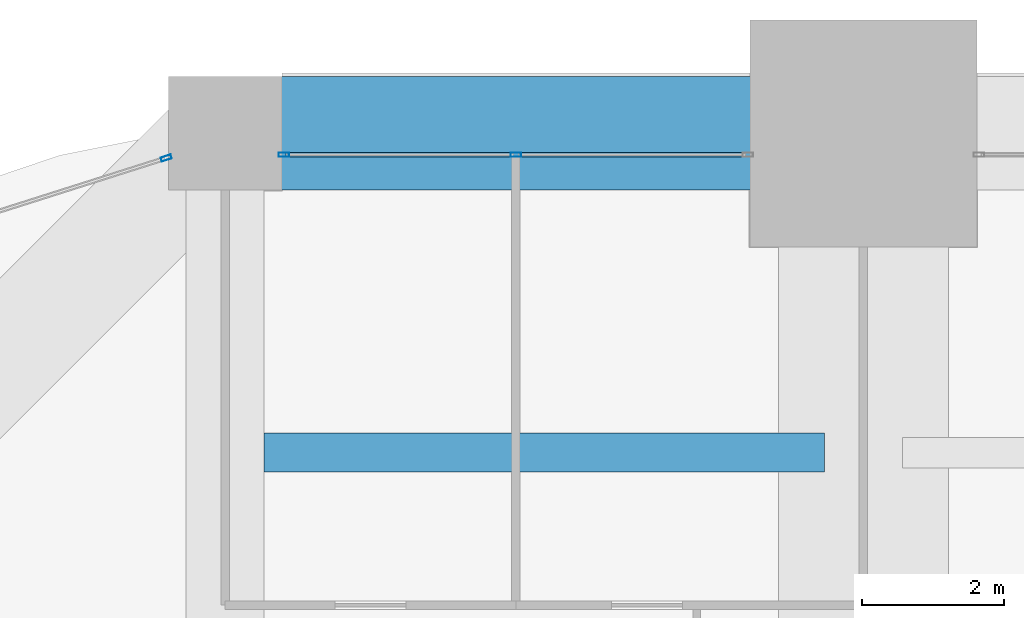
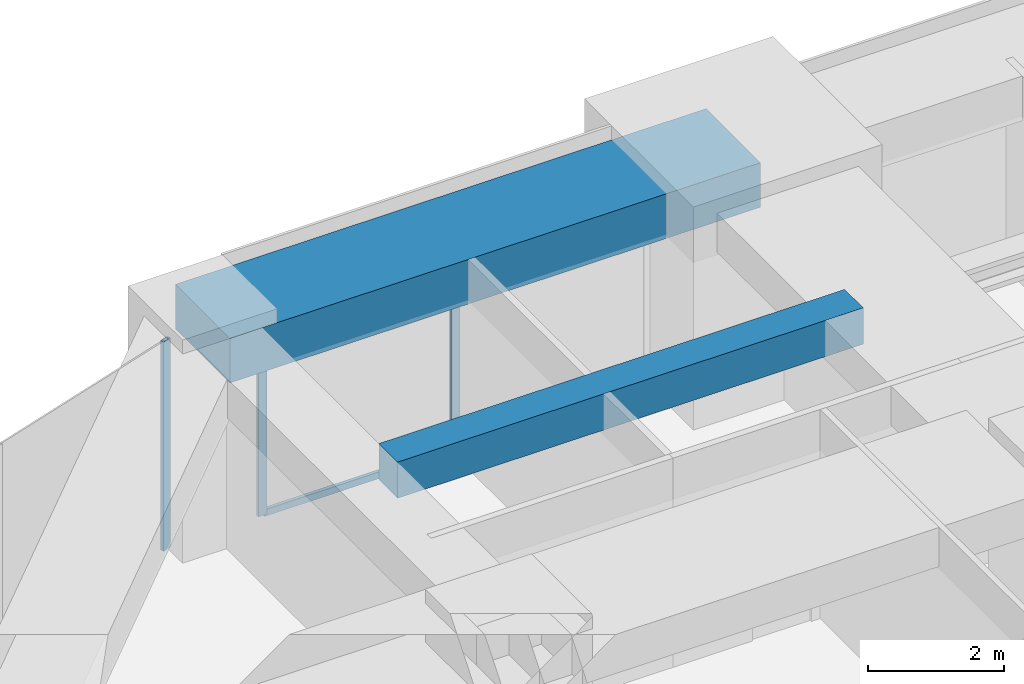
# One storey, part 23 of 36: 4 members, 2 beams, 2 elements without a shape of their own.
"""IFC4 building model written with IfcOpenShell, lengths in metres."""

from ifc_helpers import new_model, si_unit, direction, frame, origin, origin_2d, place, context, subcontext, project, spatial, rectangle, hollow_rectangle, extrude, material, material_profile, profile_set, type_object, element, aggregate, save


model = new_model("IFC4")

# Units and contexts
model_context = context("Model", 3, precision=1e-05, world=origin(), true_north=direction((0.0, 1.0)))
body_context = subcontext(model_context, "Body", "Model", "MODEL_VIEW")
ifc_project = project(units=[si_unit("LENGTHUNIT", "METRE"), si_unit("AREAUNIT", "SQUARE_METRE"), si_unit("VOLUMEUNIT", "CUBIC_METRE"), si_unit("PLANEANGLEUNIT", "RADIAN"), si_unit("MASSUNIT", "GRAM", prefix="KILO")], contexts=[model_context])

# Site, building, storey
site_placement = place(None, origin())
site = spatial("IfcSite", under=ifc_project, at=site_placement, CompositionType="ELEMENT")
building_placement = place(site_placement, origin())
building = spatial("IfcBuilding", under=site, at=building_placement, Name="Zorevar Civic Tower", CompositionType="ELEMENT")
storey_placement = place(building_placement, frame((0.0, 0.0, 166.199951171875)))
storey = spatial("IfcBuildingStorey", under=building, at=storey_placement, Name="L40", CompositionType="ELEMENT", Elevation=166.199951171875)

# Beam
ifc_material_1 = material(Name="Concrete C50/60", Category="concrete")
ifc_material_profile_1 = material_profile(ifc_material_1, rectangle(XDim=0.550048828125, YDim=0.64990234375, at=origin_2d()), Name="RC 550x650")
ifc_profile_set_1 = profile_set([ifc_material_profile_1], Name="Concrete C50/60")
beam_type_1 = type_object("IfcBeamType", Name="Beam RC 550x650", PredefinedType="BEAM", material=ifc_profile_set_1)
beam_1_placement = place(storey_placement, frame((9.550048828125, 40.5, 3.425048828125), z_axis=(1.0, 0.0, 0.0), x_axis=(0.0, 1.0, 0.0)))
element("IfcBeam", 1, at=beam_1_placement, inside=storey, type_object=beam_type_1, Name="Secondary beam L41", PredefinedType="BEAM", context=body_context, shape_type="SweptSolid", body=[
    extrude(rectangle(XDim=0.550048828125, YDim=0.64990234375, at=origin_2d()), origin(), (0.0, 0.0, 1.0), 7.89990234375),
])

# Curtain wall, members
ifc_material_2 = material(Name="Dark grey solar-control glass in black aluminium frame", Category="aluminium")
curtain_wall_type = type_object("IfcCurtainWallType", Name="Curtain wall CW4 high zone", PredefinedType="NOTDEFINED", material=ifc_material_2)
curtain_wall_1_placement = place(storey_placement, origin())
curtain_wall_1 = element("IfcCurtainWall", 2, at=curtain_wall_1_placement, inside=storey, type_object=curtain_wall_type, Name="CW4 L40", PredefinedType="NOTDEFINED")
ifc_material_3 = material(Name="Aluminium, black anodised", Category="aluminium")
ifc_material_profile_2 = material_profile(ifc_material_3, hollow_rectangle(XDim=0.06005859375, YDim=0.14990234375, WallThickness=0.00390625, at=origin_2d()), Name="AL 150x60x4")
ifc_profile_set_2 = profile_set([ifc_material_profile_2], Name="Aluminium, black anodised")
member_type_1 = type_object("IfcMemberType", Name="CW4 mullion AL 150x60x4", PredefinedType="MULLION", material=ifc_profile_set_2)
member_1_placement = place(storey_placement, frame((9.830078125, 44.699951171875, 0.0), z_axis=(0.0, 0.0, 1.0), x_axis=(0.0, 1.0, 0.0)))
member_1 = element("IfcMember", 3, at=member_1_placement, type_object=member_type_1, Name="CW4 mullion 1", PredefinedType="MULLION", context=body_context, shape_type="SweptSolid", body=[
    extrude(hollow_rectangle(XDim=0.06005859375, YDim=0.14990234375, WallThickness=0.00390625, at=origin_2d()), origin(), (0.0, 0.0, 1.0), 2.949951171875),
])
member_2_placement = place(storey_placement, frame((13.10009765625, 44.699951171875, 0.06005859375), z_axis=(0.0, 0.0, 1.0), x_axis=(0.0, 1.0, 0.0)))
member_2 = element("IfcMember", 4, at=member_2_placement, type_object=member_type_1, Name="CW4 mullion 2", PredefinedType="MULLION", context=body_context, shape_type="SweptSolid", body=[
    extrude(hollow_rectangle(XDim=0.06005859375, YDim=0.14990234375, WallThickness=0.00390625, at=origin_2d()), origin(), (0.0, 0.0, 1.0), 2.889892578125),
])

# Curtain wall, member
curtain_wall_2_placement = place(storey_placement, origin())
curtain_wall_2 = element("IfcCurtainWall", 5, at=curtain_wall_2_placement, inside=storey, type_object=curtain_wall_type, Name="CW4 L40", PredefinedType="NOTDEFINED")
member_3_placement = place(storey_placement, frame((8.17138671875, 44.654052734375, 0.0), z_axis=(0.0, 0.0, 1.0), x_axis=(0.302858738154, -0.953035458272, 0.0)))
member_3 = element("IfcMember", 6, at=member_3_placement, type_object=member_type_1, Name="CW4 mullion 1", PredefinedType="MULLION", context=body_context, shape_type="SweptSolid", body=[
    extrude(hollow_rectangle(XDim=0.06005859375, YDim=0.14990234375, WallThickness=0.00390625, at=origin_2d()), origin(), (0.0, 0.0, 1.0), 3.75),
])
aggregate(curtain_wall_2, [member_3])

# Member
ifc_material_4 = material(Name="Aluminium, black anodised", Category="aluminium")
ifc_material_profile_3 = material_profile(ifc_material_4, hollow_rectangle(XDim=0.06005859375, YDim=0.1201171875, WallThickness=0.0029296875, at=origin_2d()), Name="AL 120x60x3")
ifc_profile_set_3 = profile_set([ifc_material_profile_3], Name="Aluminium, black anodised")
member_type_2 = type_object("IfcMemberType", Name="CW4 transom AL 120x60x3", PredefinedType="USERDEFINED", material=ifc_profile_set_3)
member_4_placement = place(storey_placement, frame((9.860107421875, 44.699951171875, 0.030029296875), z_axis=(1.0, 0.0, 0.0), x_axis=(0.0, 1.0, 0.0)))
member_4 = element("IfcMember", 7, at=member_4_placement, type_object=member_type_2, Name="CW4 sill transom", ObjectType="TRANSOM", PredefinedType="USERDEFINED", context=body_context, shape_type="SweptSolid", body=[
    extrude(hollow_rectangle(XDim=0.06005859375, YDim=0.1201171875, WallThickness=0.0029296875, at=origin_2d()), origin(), (0.0, 0.0, 1.0), 6.47998046875),
])

aggregate(curtain_wall_1, [member_1, member_2, member_4])

# Beam
ifc_material_5 = material(Name="Concrete C50/60", Category="concrete")
ifc_material_profile_4 = material_profile(ifc_material_5, rectangle(XDim=1.60009765625, YDim=0.800048828125, at=origin_2d()), Name="RC 1600x800")
ifc_profile_set_4 = profile_set([ifc_material_profile_4], Name="Concrete C50/60")
beam_type_2 = type_object("IfcBeamType", Name="Edge beam RC 1600x800", PredefinedType="SPANDREL", material=ifc_profile_set_4)
beam_2_placement = place(storey_placement, frame((9.0, 45.0, 3.35009765625), z_axis=(1.0, 0.0, 0.0), x_axis=(0.0, 1.0, 0.0)))
element("IfcBeam", 8, at=beam_2_placement, inside=storey, type_object=beam_type_2, Name="Edge beam L41", PredefinedType="SPANDREL", context=body_context, shape_type="SweptSolid", body=[
    extrude(rectangle(XDim=1.60009765625, YDim=0.800048828125, at=origin_2d()), origin(), (0.0, 0.0, 1.0), 9.0),
])

save(model, "model.ifc")
